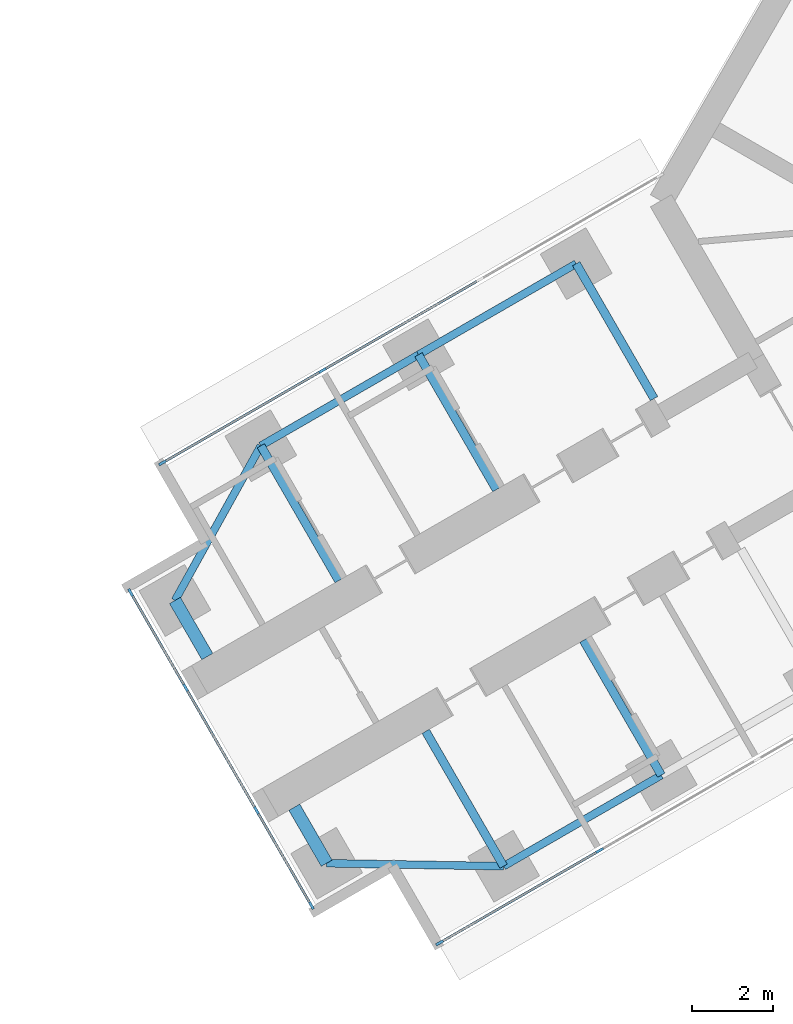
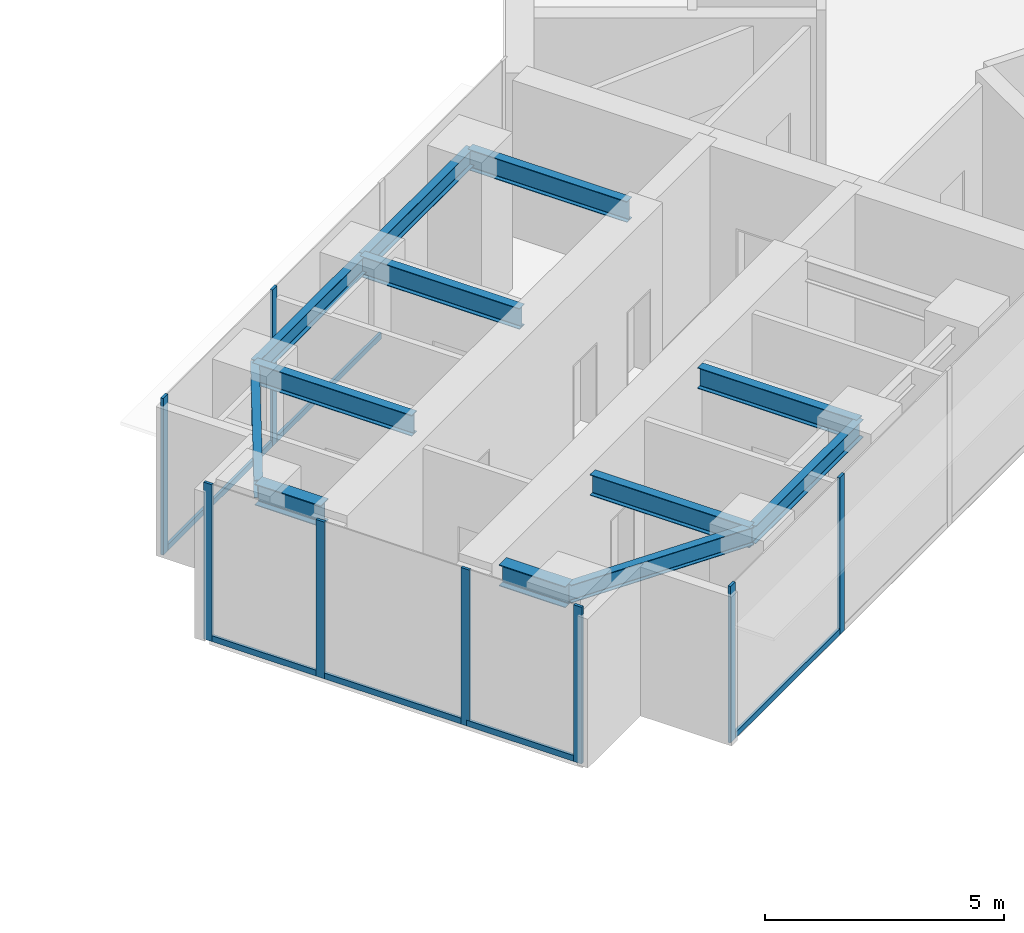
# One storey, part 3 of 22: 14 members, 12 beams, 3 elements without a shape of their own.
"""IFC4 building model written with IfcOpenShell, lengths in metres."""

from ifc_helpers import new_model, si_unit, direction, frame, origin, origin_2d, place, context, subcontext, project, spatial, rectangle, i_section, extrude, material, material_profile, profile_set, type_object, element, aggregate, save


model = new_model("IFC4")

# Units and contexts
model_context = context("Model", 3, precision=1e-05, world=origin(), true_north=direction((0.0, 1.0)))
body_context = subcontext(model_context, "Body", "Model", "MODEL_VIEW")
ifc_project = project(units=[si_unit("LENGTHUNIT", "METRE"), si_unit("AREAUNIT", "SQUARE_METRE"), si_unit("VOLUMEUNIT", "CUBIC_METRE"), si_unit("PLANEANGLEUNIT", "RADIAN"), si_unit("MASSUNIT", "GRAM", prefix="KILO")], contexts=[model_context])

# Site, building, storey
site_placement = place(None, origin())
site = spatial("IfcSite", under=ifc_project, at=site_placement, CompositionType="ELEMENT")
building_placement = place(site_placement, origin())
building = spatial("IfcBuilding", under=site, at=building_placement, Name="Upepo Twin Towers", CompositionType="ELEMENT")
storey_placement = place(building_placement, frame((0.0, 0.0, 133.5)))
storey = spatial("IfcBuildingStorey", under=building, at=storey_placement, Name="L32", CompositionType="ELEMENT", Elevation=133.5)

# Beams
ifc_material_1 = material(Name="Steel S355", Category="steel")
ifc_material_profile_1 = material_profile(ifc_material_1, i_section(OverallWidth=0.1904296875, OverallDepth=0.45703125, WebThickness=0.009033203125, FlangeThickness=0.014404296875, FilletRadius=0.01025390625, at=origin_2d()), Name="UB 457x191x74")
ifc_profile_set_1 = profile_set([ifc_material_profile_1], Name="Steel S355")
beam_type_1 = type_object("IfcBeamType", Name="Beam UB 457x191x74", PredefinedType="BEAM", material=ifc_profile_set_1)
beam_1_placement = place(storey_placement, frame((45.91162109375, -32.196044921875, 3.571533203125), z_axis=(-0.866031096941, -0.499990139034, 0.0), x_axis=(0.499990139034, -0.866031096941, 0.0)))
element("IfcBeam", 1, at=beam_1_placement, inside=storey, type_object=beam_type_1, Name="T2 edge beam BL 18.0-22.5", PredefinedType="BEAM", context=body_context, shape_type="SweptSolid", body=[
    extrude(i_section(OverallWidth=0.1904296875, OverallDepth=0.45703125, WebThickness=0.009033203125, FlangeThickness=0.014404296875, FilletRadius=0.01025390625, at=origin_2d()), origin(), (0.0, 0.0, 1.0), 4.5),
])
beam_2_placement = place(storey_placement, frame((42.014404296875, -34.446044921875, 3.571533203125), z_axis=(-0.999858804832, 0.016803880528, 0.0), x_axis=(-0.016803880528, -0.999858804832, 0.0)))
element("IfcBeam", 2, at=beam_2_placement, inside=storey, type_object=beam_type_1, Name="T2 nose edge beam BL", PredefinedType="BEAM", context=body_context, shape_type="SweptSolid", body=[
    extrude(i_section(OverallWidth=0.1904296875, OverallDepth=0.45703125, WebThickness=0.009033203125, FlangeThickness=0.014404296875, FilletRadius=0.01025390625, at=origin_2d()), origin(), (0.0, 0.0, 1.0), 4.373291015625),
])
beam_3_placement = place(storey_placement, frame((43.80859375, -19.553955078125, 3.571533203125), z_axis=(-0.866017533419, -0.500013631625, 0.0), x_axis=(0.500013631625, -0.866017533419, 0.0)))
element("IfcBeam", 3, at=beam_3_placement, inside=storey, type_object=beam_type_1, Name="T2 edge beam BR 13.5-18.0", PredefinedType="BEAM", context=body_context, shape_type="SweptSolid", body=[
    extrude(i_section(OverallWidth=0.1904296875, OverallDepth=0.45703125, WebThickness=0.009033203125, FlangeThickness=0.014404296875, FilletRadius=0.01025390625, at=origin_2d()), origin(), (0.0, 0.0, 1.0), 4.499755859375),
])
beam_4_placement = place(storey_placement, frame((39.91162109375, -21.803955078125, 3.571533203125), z_axis=(-0.866031096941, -0.499990139034, 0.0), x_axis=(0.499990139034, -0.866031096941, 0.0)))
element("IfcBeam", 4, at=beam_4_placement, inside=storey, type_object=beam_type_1, Name="T2 edge beam BR 18.0-22.5", PredefinedType="BEAM", context=body_context, shape_type="SweptSolid", body=[
    extrude(i_section(OverallWidth=0.1904296875, OverallDepth=0.45703125, WebThickness=0.009033203125, FlangeThickness=0.014404296875, FilletRadius=0.01025390625, at=origin_2d()), origin(), (0.0, 0.0, 1.0), 4.5),
])
beam_5_placement = place(storey_placement, frame((36.014404296875, -24.053955078125, 3.571533203125), z_axis=(-0.485363242752, -0.874312600038, 0.0), x_axis=(0.874312600038, -0.485363242752, 0.0)))
element("IfcBeam", 5, at=beam_5_placement, inside=storey, type_object=beam_type_1, Name="T2 nose edge beam BR", PredefinedType="BEAM", context=body_context, shape_type="SweptSolid", body=[
    extrude(i_section(OverallWidth=0.1904296875, OverallDepth=0.45703125, WebThickness=0.009033203125, FlangeThickness=0.014404296875, FilletRadius=0.01025390625, at=origin_2d()), origin(), (0.0, 0.0, 1.0), 4.373046875),
])
ifc_material_2 = material(Name="Steel S355", Category="steel")
ifc_material_profile_2 = material_profile(ifc_material_2, i_section(OverallWidth=0.209228515625, OverallDepth=0.533203125, WebThickness=0.010009765625, FlangeThickness=0.015625, FilletRadius=0.0126953125, at=origin_2d()), Name="UB 533x210x92")
ifc_profile_set_2 = profile_set([ifc_material_profile_2], Name="Steel S355")
beam_type_2 = type_object("IfcBeamType", Name="Beam UB 533x210x92", PredefinedType="BEAM", material=ifc_profile_set_2)
for number, where, z_axis, x_axis, name in (
    (6, (45.91162109375, -32.196044921875, 3.533447265625), (-0.500033517596, 0.866006051527, 0.0), (-0.866006051527, -0.500033517596, 0.0), "T2 girder BL at 18.0"),
    (7, (42.014404296875, -34.446044921875, 3.533447265625), (-0.500033517596, 0.866006051527, 0.0), (-0.866006051527, -0.500033517596, 0.0), "T2 girder BL at 22.5"),
    (8, (43.80859375, -19.553955078125, 3.533447265625), (0.500033517596, -0.866006051527, 0.0), (0.866006051527, 0.500033517596, 0.0), "T2 girder BR at 13.5"),
):
    element("IfcBeam", number, at=place(storey_placement, frame(where, z_axis=z_axis, x_axis=x_axis)), inside=storey, type_object=beam_type_2, Name=name, PredefinedType="BEAM", context=body_context, shape_type="SweptSolid", body=[
        extrude(i_section(OverallWidth=0.209228515625, OverallDepth=0.533203125, WebThickness=0.010009765625, FlangeThickness=0.015625, FilletRadius=0.0126953125, at=origin_2d()), origin(), (0.0, 0.0, 1.0), 3.849853515625),
    ])
beam_6_placement = place(storey_placement, frame((39.91162109375, -21.803955078125, 3.533447265625), z_axis=(0.499985955615, -0.866033512162, 0.0), x_axis=(0.866033512162, 0.499985955615, 0.0)))
element("IfcBeam", 9, at=beam_6_placement, inside=storey, type_object=beam_type_2, Name="T2 girder BR at 18.0", PredefinedType="BEAM", context=body_context, shape_type="SweptSolid", body=[
    extrude(i_section(OverallWidth=0.209228515625, OverallDepth=0.533203125, WebThickness=0.010009765625, FlangeThickness=0.015625, FilletRadius=0.0126953125, at=origin_2d()), origin(), (0.0, 0.0, 1.0), 3.849609375),
])
beam_7_placement = place(storey_placement, frame((36.014404296875, -24.053955078125, 3.533447265625), z_axis=(0.500033517596, -0.866006051527, 0.0), x_axis=(0.866006051527, 0.500033517596, 0.0)))
element("IfcBeam", 10, at=beam_7_placement, inside=storey, type_object=beam_type_2, Name="T2 girder BR at 22.5", PredefinedType="BEAM", context=body_context, shape_type="SweptSolid", body=[
    extrude(i_section(OverallWidth=0.209228515625, OverallDepth=0.533203125, WebThickness=0.010009765625, FlangeThickness=0.015625, FilletRadius=0.0126953125, at=origin_2d()), origin(), (0.0, 0.0, 1.0), 3.849853515625),
])
ifc_material_3 = material(Name="Steel S355", Category="steel")
ifc_material_profile_3 = material_profile(ifc_material_3, i_section(OverallWidth=0.31201171875, OverallDepth=0.54345703125, WebThickness=0.0126953125, FlangeThickness=0.020263671875, FilletRadius=0.0126953125, at=origin_2d()), Name="UB 533x312x150")
ifc_profile_set_3 = profile_set([ifc_material_profile_3], Name="Steel S355")
beam_type_3 = type_object("IfcBeamType", Name="Beam UB 533x312x150", PredefinedType="BEAM", material=ifc_profile_set_3)
for number, where, z_axis, x_axis, name in (
    (11, (37.641845703125, -34.37255859375, 3.5283203125), (-0.500061482766, 0.865989903783, 0.0), (-0.865989903783, -0.500061482766, 0.0), "T2 nose beam BL"),
    (12, (33.891845703125, -27.87744140625, 3.5283203125), (0.500061482766, -0.865989903783, 0.0), (0.865989903783, 0.500061482766, 0.0), "T2 nose beam BR"),
):
    element("IfcBeam", number, at=place(storey_placement, frame(where, z_axis=z_axis, x_axis=x_axis)), inside=storey, type_object=beam_type_3, Name=name, PredefinedType="BEAM", context=body_context, shape_type="SweptSolid", body=[
        extrude(i_section(OverallWidth=0.31201171875, OverallDepth=0.54345703125, WebThickness=0.0126953125, FlangeThickness=0.020263671875, FilletRadius=0.0126953125, at=origin_2d()), origin(), (0.0, 0.0, 1.0), 1.599853515625),
    ])

# Curtain wall, members
ifc_material_4 = material(Name="Aluminium and fritted glass", Category="aluminium")
curtain_wall_type = type_object("IfcCurtainWallType", Name="Tower curtain wall TW2, fritted glass", PredefinedType="NOTDEFINED", material=ifc_material_4)
curtain_wall_1_placement = place(storey_placement, origin())
curtain_wall_1 = element("IfcCurtainWall", 13, at=curtain_wall_1_placement, inside=storey, type_object=curtain_wall_type, Name="T2 L32 wing B flank L curtain wall", PredefinedType="NOTDEFINED")
ifc_material_5 = material(Name="Aluminium mullion", Category="aluminium")
ifc_material_profile_4 = material_profile(ifc_material_5, rectangle(XDim=0.06494140625, YDim=0.199951171875, at=origin_2d()), Name="MULLION 65x200")
ifc_profile_set_4 = profile_set([ifc_material_profile_4], Name="Aluminium mullion")
member_type_1 = type_object("IfcMemberType", Name="Mullion 65x200 TW2", PredefinedType="MULLION", material=ifc_profile_set_4)
member_1_placement = place(storey_placement, frame((44.387939453125, -34.057373046875, 0.0), z_axis=(0.0, 0.0, 1.0), x_axis=(0.500000010308, -0.866025397833, 0.0)))
member_1 = element("IfcMember", 14, at=member_1_placement, type_object=member_type_1, Name="T2 L32 wing B flank L curtain wall mullion 3", PredefinedType="MULLION", context=body_context, shape_type="SweptSolid", body=[
    extrude(rectangle(XDim=0.06494140625, YDim=0.199951171875, at=origin_2d()), origin(), (0.0, 0.0, 1.0), 4.0),
])
member_2_placement = place(storey_placement, frame((40.432373046875, -36.341064453125, 0.0), z_axis=(0.0, 0.0, 1.0), x_axis=(0.500000010308, -0.866025397833, 0.0)))
member_2 = element("IfcMember", 15, at=member_2_placement, type_object=member_type_1, Name="T2 L32 wing B flank L curtain wall mullion 4", PredefinedType="MULLION", context=body_context, shape_type="SweptSolid", body=[
    extrude(rectangle(XDim=0.06494140625, YDim=0.199951171875, at=origin_2d()), origin(), (0.0, 0.0, 1.0), 4.0),
])

curtain_wall_2_placement = place(storey_placement, origin())
curtain_wall_2 = element("IfcCurtainWall", 16, at=curtain_wall_2_placement, inside=storey, type_object=curtain_wall_type, Name="T2 L32 wing B flank R curtain wall", PredefinedType="NOTDEFINED")
member_3_placement = place(storey_placement, frame((33.58251953125, -24.4765625, 0.0), z_axis=(0.0, 0.0, 1.0), x_axis=(-0.500000010308, 0.866025397833, 0.0)))
member_3 = element("IfcMember", 17, at=member_3_placement, type_object=member_type_1, Name="T2 L32 wing B flank R curtain wall mullion 1", PredefinedType="MULLION", context=body_context, shape_type="SweptSolid", body=[
    extrude(rectangle(XDim=0.06494140625, YDim=0.199951171875, at=origin_2d()), origin(), (0.0, 0.0, 1.0), 4.0),
])
member_4_placement = place(storey_placement, frame((37.5380859375, -22.192626953125, 0.0), z_axis=(0.0, 0.0, 1.0), x_axis=(-0.500000010308, 0.866025397833, 0.0)))
member_4 = element("IfcMember", 18, at=member_4_placement, type_object=member_type_1, Name="T2 L32 wing B flank R curtain wall mullion 2", PredefinedType="MULLION", context=body_context, shape_type="SweptSolid", body=[
    extrude(rectangle(XDim=0.06494140625, YDim=0.199951171875, at=origin_2d()), origin(), (0.0, 0.0, 1.0), 4.0),
])

curtain_wall_3_placement = place(storey_placement, origin())
curtain_wall_3 = element("IfcCurtainWall", 19, at=curtain_wall_3_placement, inside=storey, type_object=curtain_wall_type, Name="T2 L32 wing B nose curtain wall", PredefinedType="NOTDEFINED")
member_5_placement = place(storey_placement, frame((32.796875, -27.68115234375, 0.0), z_axis=(0.0, 0.0, 1.0), x_axis=(0.866025386174, 0.500000030502, 0.0)))
member_5 = element("IfcMember", 20, at=member_5_placement, type_object=member_type_1, Name="T2 L32 wing B nose curtain wall mullion 1", PredefinedType="MULLION", context=body_context, shape_type="SweptSolid", body=[
    extrude(rectangle(XDim=0.06494140625, YDim=0.199951171875, at=origin_2d()), origin(), (0.0, 0.0, 1.0), 4.0),
])
member_6_placement = place(storey_placement, frame((34.15576171875, -30.034423828125, 0.0), z_axis=(0.0, 0.0, 1.0), x_axis=(0.866025386174, 0.500000030502, 0.0)))
member_6 = element("IfcMember", 21, at=member_6_placement, type_object=member_type_1, Name="T2 L32 wing B nose curtain wall mullion 2", PredefinedType="MULLION", context=body_context, shape_type="SweptSolid", body=[
    extrude(rectangle(XDim=0.06494140625, YDim=0.199951171875, at=origin_2d()), origin(), (0.0, 0.0, 1.0), 4.0),
])
member_7_placement = place(storey_placement, frame((35.90576171875, -33.0654296875, 0.0), z_axis=(0.0, 0.0, 1.0), x_axis=(0.866025386174, 0.500000030502, 0.0)))
member_7 = element("IfcMember", 22, at=member_7_placement, type_object=member_type_1, Name="T2 L32 wing B nose curtain wall mullion 3", PredefinedType="MULLION", context=body_context, shape_type="SweptSolid", body=[
    extrude(rectangle(XDim=0.06494140625, YDim=0.199951171875, at=origin_2d()), origin(), (0.0, 0.0, 1.0), 4.0),
])
member_8_placement = place(storey_placement, frame((37.264404296875, -35.4189453125, 0.0), z_axis=(0.0, 0.0, 1.0), x_axis=(0.866025386174, 0.500000030502, 0.0)))
member_8 = element("IfcMember", 23, at=member_8_placement, type_object=member_type_1, Name="T2 L32 wing B nose curtain wall mullion 4", PredefinedType="MULLION", context=body_context, shape_type="SweptSolid", body=[
    extrude(rectangle(XDim=0.06494140625, YDim=0.199951171875, at=origin_2d()), origin(), (0.0, 0.0, 1.0), 4.0),
])

# Member
ifc_material_6 = material(Name="Aluminium transom", Category="aluminium")
ifc_material_profile_5 = material_profile(ifc_material_6, rectangle(XDim=0.06494140625, YDim=0.14990234375, at=origin_2d()), Name="TRANSOM 65x150")
ifc_profile_set_5 = profile_set([ifc_material_profile_5], Name="Aluminium transom")
member_type_2 = type_object("IfcMemberType", Name="Transom 65x150 TW2", PredefinedType="USERDEFINED", material=ifc_profile_set_5)
member_9_placement = place(storey_placement, frame((44.35986328125, -34.073486328125, 0.074951171875), z_axis=(-0.866035699072, -0.499982167615, 0.0), x_axis=(0.499982167615, -0.866035699072, 0.0)))
member_9 = element("IfcMember", 24, at=member_9_placement, type_object=member_type_2, Name="T2 L32 wing B flank L curtain wall transom 3", ObjectType="TRANSOM", PredefinedType="USERDEFINED", context=body_context, shape_type="SweptSolid", body=[
    extrude(rectangle(XDim=0.06494140625, YDim=0.14990234375, at=origin_2d()), origin(), (0.0, 0.0, 1.0), 4.502685546875),
])

aggregate(curtain_wall_1, [member_1, member_2, member_9])

member_10_placement = place(storey_placement, frame((33.610595703125, -24.460205078125, 0.074951171875), z_axis=(0.866022143554, 0.500005646842, 0.0), x_axis=(-0.500005646842, 0.866022143554, 0.0)))
member_10 = element("IfcMember", 25, at=member_10_placement, type_object=member_type_2, Name="T2 L32 wing B flank R curtain wall transom 1", ObjectType="TRANSOM", PredefinedType="USERDEFINED", context=body_context, shape_type="SweptSolid", body=[
    extrude(rectangle(XDim=0.06494140625, YDim=0.14990234375, at=origin_2d()), origin(), (0.0, 0.0, 1.0), 4.50244140625),
])

member_11_placement = place(storey_placement, frame((37.566162109375, -22.176513671875, 0.074951171875), z_axis=(0.866022410713, 0.500005184116, 0.0), x_axis=(-0.500005184116, 0.866022410713, 0.0)))
member_11 = element("IfcMember", 26, at=member_11_placement, type_object=member_type_2, Name="T2 L32 wing B flank R curtain wall transom 2", ObjectType="TRANSOM", PredefinedType="USERDEFINED", context=body_context, shape_type="SweptSolid", body=[
    extrude(rectangle(XDim=0.06494140625, YDim=0.14990234375, at=origin_2d()), origin(), (0.0, 0.0, 1.0), 4.43505859375),
])

aggregate(curtain_wall_2, [member_3, member_4, member_10, member_11])

member_12_placement = place(storey_placement, frame((32.813232421875, -27.709228515625, 0.074951171875), z_axis=(0.499980071345, -0.866036909293, 0.0), x_axis=(0.866036909293, 0.499980071345, 0.0)))
member_12 = element("IfcMember", 27, at=member_12_placement, type_object=member_type_2, Name="T2 L32 wing B nose curtain wall transom 1", ObjectType="TRANSOM", PredefinedType="USERDEFINED", context=body_context, shape_type="SweptSolid", body=[
    extrude(rectangle(XDim=0.06494140625, YDim=0.14990234375, at=origin_2d()), origin(), (0.0, 0.0, 1.0), 2.65234375),
])

member_13_placement = place(storey_placement, frame((34.171875, -30.0625, 0.074951171875), z_axis=(0.499999305434, -0.866025804792, 0.0), x_axis=(0.866025804792, 0.499999305434, 0.0)))
member_13 = element("IfcMember", 28, at=member_13_placement, type_object=member_type_2, Name="T2 L32 wing B nose curtain wall transom 2", ObjectType="TRANSOM", PredefinedType="USERDEFINED", context=body_context, shape_type="SweptSolid", body=[
    extrude(rectangle(XDim=0.06494140625, YDim=0.14990234375, at=origin_2d()), origin(), (0.0, 0.0, 1.0), 3.43505859375),
])

member_14_placement = place(storey_placement, frame((35.921875, -33.09375, 0.074951171875), z_axis=(0.500049101008, -0.865997053448, 0.0), x_axis=(0.865997053448, 0.500049101008, 0.0)))
member_14 = element("IfcMember", 29, at=member_14_placement, type_object=member_type_2, Name="T2 L32 wing B nose curtain wall transom 3", ObjectType="TRANSOM", PredefinedType="USERDEFINED", context=body_context, shape_type="SweptSolid", body=[
    extrude(rectangle(XDim=0.06494140625, YDim=0.14990234375, at=origin_2d()), origin(), (0.0, 0.0, 1.0), 2.652587890625),
])

aggregate(curtain_wall_3, [member_5, member_6, member_7, member_8, member_12, member_13, member_14])

save(model, "model.ifc")
